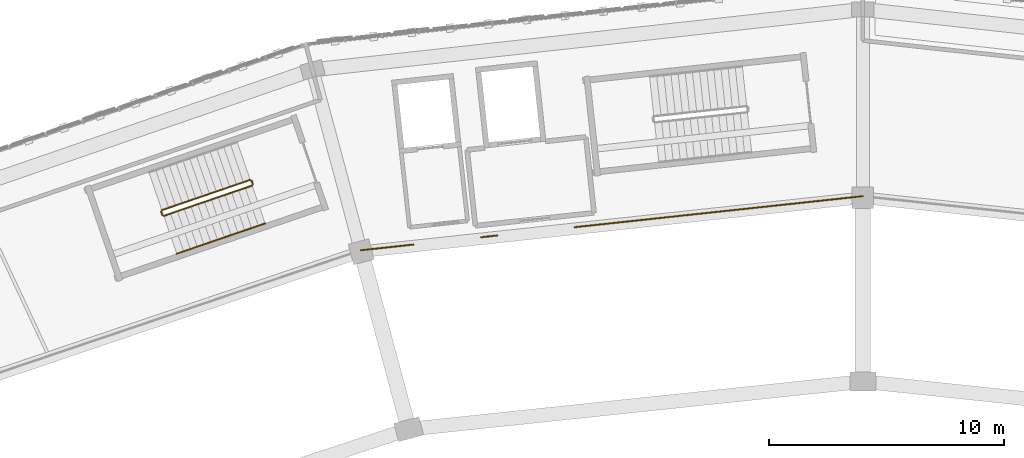
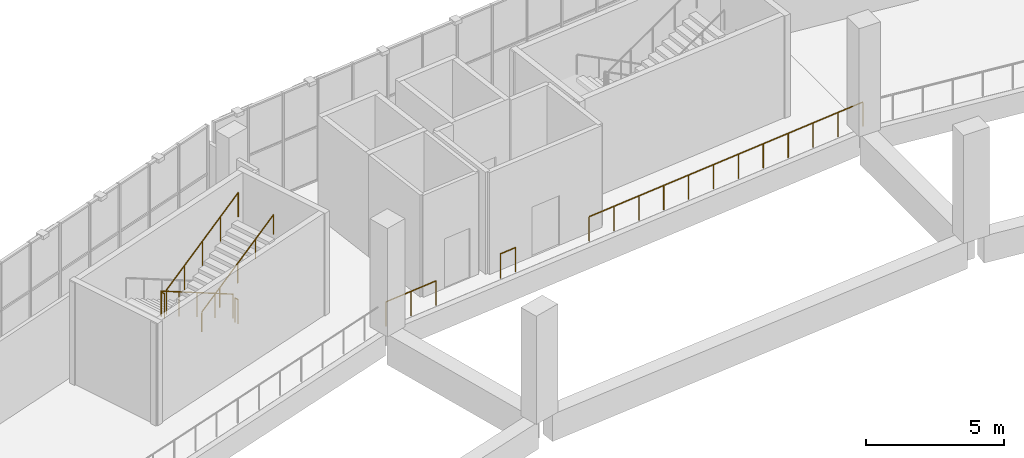
# One storey, part 100 of 108: 8 railings.
"""IFC4 building model written with IfcOpenShell, lengths in metres."""

from ifc_helpers import new_model, si_unit, direction, frame, origin, origin_2d, place, context, subcontext, project, spatial, circle, extrude, material, type_object, element, save


model = new_model("IFC4")

# Units and contexts
model_context = context("Model", 3, precision=1e-05, world=origin(), true_north=direction((0.0, 1.0)))
body_context = subcontext(model_context, "Body", "Model", "MODEL_VIEW")
ifc_project = project(units=[si_unit("LENGTHUNIT", "METRE"), si_unit("AREAUNIT", "SQUARE_METRE"), si_unit("VOLUMEUNIT", "CUBIC_METRE"), si_unit("PLANEANGLEUNIT", "RADIAN"), si_unit("MASSUNIT", "GRAM", prefix="KILO")], contexts=[model_context])

# Site, building, storey
site_placement = place(None, origin())
site = spatial("IfcSite", under=ifc_project, at=site_placement, CompositionType="ELEMENT")
building_placement = place(site_placement, origin())
building = spatial("IfcBuilding", under=site, at=building_placement, Name="Zevraka Park Crest Stadium", CompositionType="ELEMENT")
storey_placement = place(building_placement, frame((0.0, 0.0, 19.800048828125)))
storey = spatial("IfcBuildingStorey", under=building, at=storey_placement, Name="L04", CompositionType="ELEMENT", Elevation=19.800048828125)

# Railings
ifc_material_1 = material(Name="Galvanised and bronze-finished steel balustrade", Category="steel")
railing_type_1 = type_object("IfcRailingType", Name="GR01", PredefinedType="GUARDRAIL", material=ifc_material_1)
railing_1_placement = place(storey_placement, frame((112.00390625, 159.3701171875, 0.0)))
element("IfcRailing", 1, at=railing_1_placement, inside=storey, type_object=railing_type_1, Name="Deck Edge Protection Guardrail GR01 L04-43", PredefinedType="GUARDRAIL", context=body_context, shape_type="SweptSolid", body=[
    extrude(circle(Radius=0.02392578125, at=origin_2d()), frame((0.0, 0.0, 1.076171875), z_axis=(-0.994260814614, -0.106983328244, 0.0), x_axis=(0.106983328244, -0.994260814614, 0.0)), (0.0, 0.0, 1.0), 12.3115234375),
    extrude(circle(Radius=0.02099609375, at=origin_2d()), origin(), (0.0, 0.0, 1.0), 1.052001953125),
    extrude(circle(Radius=0.02099609375, at=origin_2d()), frame((-1.11279296875, -0.11962890625, 0.0)), (0.0, 0.0, 1.0), 1.052001953125),
    extrude(circle(Radius=0.02099609375, at=origin_2d()), frame((-2.2255859375, -0.239501953125, 0.0)), (0.0, 0.0, 1.0), 1.052001953125),
    extrude(circle(Radius=0.02099609375, at=origin_2d()), frame((-3.33837890625, -0.359130859375, 0.0)), (0.0, 0.0, 1.0), 1.052001953125),
    extrude(circle(Radius=0.02099609375, at=origin_2d()), frame((-4.451171875, -0.47900390625, 0.0)), (0.0, 0.0, 1.0), 1.052001953125),
    extrude(circle(Radius=0.02099609375, at=origin_2d()), frame((-5.56396484375, -0.5986328125, 0.0)), (0.0, 0.0, 1.0), 1.052001953125),
    extrude(circle(Radius=0.02099609375, at=origin_2d()), frame((-6.677001953125, -0.718505859375, 0.0)), (0.0, 0.0, 1.0), 1.052001953125),
    extrude(circle(Radius=0.02099609375, at=origin_2d()), frame((-7.789794921875, -0.838134765625, 0.0)), (0.0, 0.0, 1.0), 1.052001953125),
    extrude(circle(Radius=0.02099609375, at=origin_2d()), frame((-8.902587890625, -0.9580078125, 0.0)), (0.0, 0.0, 1.0), 1.052001953125),
    extrude(circle(Radius=0.02099609375, at=origin_2d()), frame((-10.015380859375, -1.07763671875, 0.0)), (0.0, 0.0, 1.0), 1.052001953125),
    extrude(circle(Radius=0.02099609375, at=origin_2d()), frame((-11.128173828125, -1.197509765625, 0.0)), (0.0, 0.0, 1.0), 1.052001953125),
    extrude(circle(Radius=0.02099609375, at=origin_2d()), frame((-12.240966796875, -1.317138671875, 0.0)), (0.0, 0.0, 1.0), 1.052001953125),
])
railing_2_placement = place(storey_placement, frame((96.47802734375, 157.699951171875, 0.0)))
element("IfcRailing", 2, at=railing_2_placement, inside=storey, type_object=railing_type_1, Name="Deck Edge Protection Guardrail GR01 L04-44", PredefinedType="GUARDRAIL", context=body_context, shape_type="SweptSolid", body=[
    extrude(circle(Radius=0.02392578125, at=origin_2d()), frame((0.0, 0.0, 1.076171875), z_axis=(-0.994203972912, -0.107510279726, 0.0), x_axis=(0.107510279726, -0.994203972912, 0.0)), (0.0, 0.0, 1.0), 0.68798828125),
    extrude(circle(Radius=0.02099609375, at=origin_2d()), origin(), (0.0, 0.0, 1.0), 1.052001953125),
    extrude(circle(Radius=0.02099609375, at=origin_2d()), frame((-0.68408203125, -0.073974609375, 0.0)), (0.0, 0.0, 1.0), 1.052001953125),
])
railing_3_placement = place(storey_placement, frame((92.91796875, 157.31591796875, 0.0)))
element("IfcRailing", 3, at=railing_3_placement, inside=storey, type_object=railing_type_1, Name="Deck Edge Protection Guardrail GR01 L04-45", PredefinedType="GUARDRAIL", context=body_context, shape_type="SweptSolid", body=[
    extrude(circle(Radius=0.02392578125, at=origin_2d()), frame((0.0, 0.0, 1.076171875), z_axis=(-0.994119728215, -0.1082864995, 0.0), x_axis=(0.1082864995, -0.994119728215, 0.0)), (0.0, 0.0, 1.0), 2.26123046875),
    extrude(circle(Radius=0.02099609375, at=origin_2d()), origin(), (0.0, 0.0, 1.0), 1.052001953125),
    extrude(circle(Radius=0.02099609375, at=origin_2d()), frame((-1.1240234375, -0.12255859375, 0.0)), (0.0, 0.0, 1.0), 1.052001953125),
    extrude(circle(Radius=0.02099609375, at=origin_2d()), frame((-2.248046875, -0.244873046875, 0.0)), (0.0, 0.0, 1.0), 1.052001953125),
])
ifc_material_2 = material(Name="Powder-coated tubular steel stairwell guard", Category="steel")
railing_type_2 = type_object("IfcRailingType", Name="GR03", PredefinedType="GUARDRAIL", material=ifc_material_2)
railing_4_placement = place(storey_placement, frame((85.98388671875, 160.0634765625, 0.17138671875)))
element("IfcRailing", 4, at=railing_4_placement, inside=storey, type_object=railing_type_2, Name="L04 ST08 stair guard 1", PredefinedType="GUARDRAIL", context=body_context, shape_type="SweptSolid", body=[
    extrude(circle(Radius=0.02392578125, at=origin_2d()), frame((0.0, 0.0, 1.076171875), z_axis=(-0.824726794133, -0.282441418206, 0.489951589772), x_axis=(0.32399372979, -0.946059228091, 0.0)), (0.0, 0.0, 1.0), 4.54833984375),
    extrude(circle(Radius=0.02099609375, at=origin_2d()), origin(), (0.0, 0.0, 1.0), 1.052001953125),
    extrude(circle(Radius=0.02099609375, at=origin_2d()), frame((-0.937744140625, -0.3212890625, 0.55712890625)), (0.0, 0.0, 1.0), 1.052001953125),
    extrude(circle(Radius=0.02099609375, at=origin_2d()), frame((-1.87548828125, -0.642333984375, 1.1142578125)), (0.0, 0.0, 1.0), 1.052001953125),
    extrude(circle(Radius=0.02099609375, at=origin_2d()), frame((-2.8134765625, -0.96337890625, 1.67138671875)), (0.0, 0.0, 1.0), 1.052001953125),
    extrude(circle(Radius=0.02099609375, at=origin_2d()), frame((-3.751220703125, -1.28466796875, 2.228515625)), (0.0, 0.0, 1.0), 1.052001953125),
])
railing_5_placement = place(storey_placement, frame((82.201416015625, 158.71533203125, 2.39990234375)))
element("IfcRailing", 5, at=railing_5_placement, inside=storey, type_object=railing_type_2, Name="L04 ST08 stair guard 2", PredefinedType="GUARDRAIL", context=body_context, shape_type="SweptSolid", body=[
    extrude(circle(Radius=0.02392578125, at=origin_2d()), frame((0.0, 0.0, 1.076171875), z_axis=(0.324909238665, -0.945745201748, 0.0), x_axis=(0.945745201748, 0.324909238665, 0.0)), (0.0, 0.0, 1.0), 0.16015625),
    extrude(circle(Radius=0.02099609375, at=origin_2d()), origin(), (0.0, 0.0, 1.0), 1.052001953125),
    extrude(circle(Radius=0.02099609375, at=origin_2d()), frame((0.052001953125, -0.1513671875, 0.0)), (0.0, 0.0, 1.0), 1.052001953125),
])
railing_6_placement = place(storey_placement, frame((82.31689453125, 158.532958984375, 2.5712890625)))
element("IfcRailing", 6, at=railing_6_placement, inside=storey, type_object=railing_type_2, Name="L04 ST08 stair guard 3", PredefinedType="GUARDRAIL", context=body_context, shape_type="SweptSolid", body=[
    extrude(circle(Radius=0.02392578125, at=origin_2d()), frame((0.0, 0.0, 1.076171875), z_axis=(0.824717605898, 0.282384596462, 0.489999806329), x_axis=(-0.323938619155, 0.946078099852, 0.0)), (0.0, 0.0, 1.0), 4.548583984375),
    extrude(circle(Radius=0.02099609375, at=origin_2d()), origin(), (0.0, 0.0, 1.0), 1.052001953125),
    extrude(circle(Radius=0.02099609375, at=origin_2d()), frame((0.937744140625, 0.321044921875, 0.55712890625)), (0.0, 0.0, 1.0), 1.052001953125),
    extrude(circle(Radius=0.02099609375, at=origin_2d()), frame((1.87548828125, 0.64208984375, 1.1142578125)), (0.0, 0.0, 1.0), 1.052001953125),
    extrude(circle(Radius=0.02099609375, at=origin_2d()), frame((2.8134765625, 0.96337890625, 1.671630859375)), (0.0, 0.0, 1.0), 1.052001953125),
    extrude(circle(Radius=0.02099609375, at=origin_2d()), frame((3.751220703125, 1.284423828125, 2.228759765625)), (0.0, 0.0, 1.0), 1.052001953125),
])
railing_7_placement = place(storey_placement, frame((86.04736328125, 160.0322265625, 0.0)))
element("IfcRailing", 7, at=railing_7_placement, inside=storey, type_object=railing_type_2, Name="L04 ST08 stair guard 4", PredefinedType="GUARDRAIL", context=body_context, shape_type="SweptSolid", body=[
    extrude(circle(Radius=0.02392578125, at=origin_2d()), frame((0.0, 0.0, 1.076171875), z_axis=(0.32354385955, -0.946213174156, 0.0), x_axis=(0.946213174156, 0.32354385955, 0.0)), (0.0, 0.0, 1.0), 0.159912109375),
    extrude(circle(Radius=0.02099609375, at=origin_2d()), origin(), (0.0, 0.0, 1.0), 1.052001953125),
    extrude(circle(Radius=0.02099609375, at=origin_2d()), frame((0.0517578125, -0.1513671875, 0.0)), (0.0, 0.0, 1.0), 1.052001953125),
])
ifc_material_3 = material(Name="Brushed stainless steel continuous handrail", Category="steel")
railing_type_3 = type_object("IfcRailingType", Name="HR01", PredefinedType="HANDRAIL", material=ifc_material_3)
railing_8_placement = place(storey_placement, frame((82.86767578125, 156.924560546875, 2.5712890625)))
element("IfcRailing", 8, at=railing_8_placement, inside=storey, type_object=railing_type_3, Name="L04 ST08 stair handrail 2", PredefinedType="HANDRAIL", context=body_context, shape_type="SweptSolid", body=[
    extrude(circle(Radius=0.02392578125, at=origin_2d()), frame((0.0, 0.0, 0.8759765625), z_axis=(0.824705104737, 0.282433990311, 0.489992378857), x_axis=(-0.32399372979, 0.946059228091, 0.0)), (0.0, 0.0, 1.0), 4.548583984375),
    extrude(circle(Radius=0.02099609375, at=origin_2d()), origin(), (0.0, 0.0, 1.0), 0.851806640625),
    extrude(circle(Radius=0.02099609375, at=origin_2d()), frame((0.937744140625, 0.3212890625, 0.55712890625)), (0.0, 0.0, 1.0), 0.851806640625),
    extrude(circle(Radius=0.02099609375, at=origin_2d()), frame((1.87548828125, 0.642333984375, 1.1142578125)), (0.0, 0.0, 1.0), 0.851806640625),
    extrude(circle(Radius=0.02099609375, at=origin_2d()), frame((2.8134765625, 0.96337890625, 1.671630859375)), (0.0, 0.0, 1.0), 0.851806640625),
    extrude(circle(Radius=0.02099609375, at=origin_2d()), frame((3.751220703125, 1.28466796875, 2.228759765625)), (0.0, 0.0, 1.0), 0.851806640625),
])

save(model, "model.ifc")
